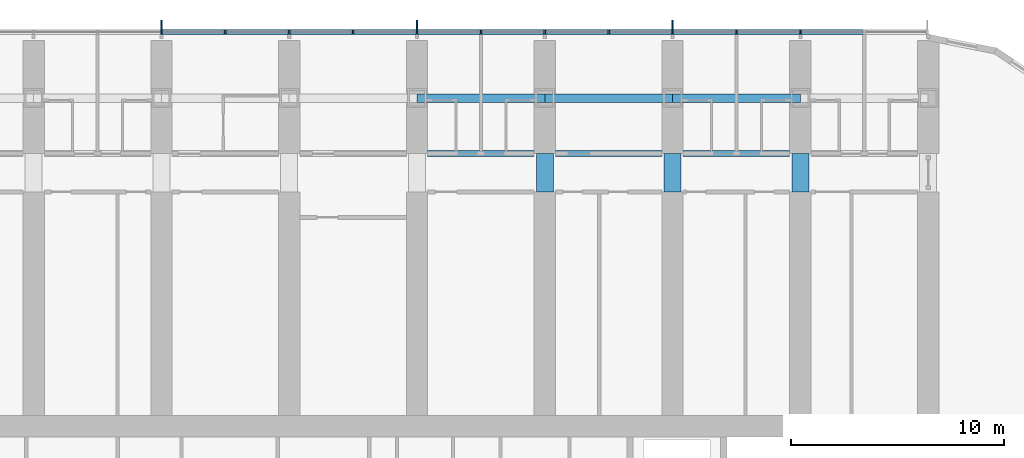
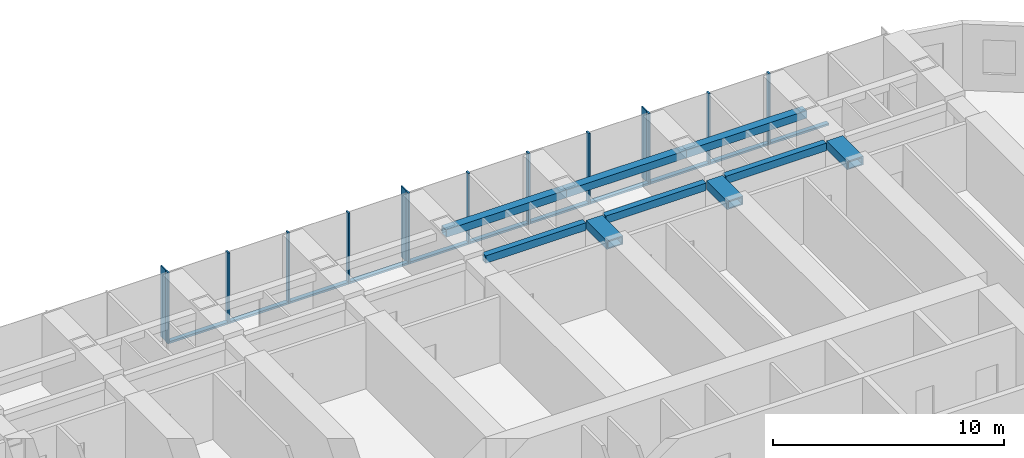
# One storey, part 5 of 24: 25 members, 9 beams, 1 element without a shape of its own.
"""IFC4 building model written with IfcOpenShell, lengths in metres."""

from ifc_helpers import new_model, si_unit, direction, frame, origin, origin_2d, place, context, subcontext, project, spatial, rectangle, hollow_rectangle, extrude, material, material_profile, profile_set, type_object, element, aggregate, save


model = new_model("IFC4")

# Units and contexts
model_context = context("Model", 3, precision=1e-05, world=origin(), true_north=direction((0.0, 1.0)))
body_context = subcontext(model_context, "Body", "Model", "MODEL_VIEW")
ifc_project = project(units=[si_unit("LENGTHUNIT", "METRE"), si_unit("AREAUNIT", "SQUARE_METRE"), si_unit("VOLUMEUNIT", "CUBIC_METRE"), si_unit("PLANEANGLEUNIT", "RADIAN"), si_unit("MASSUNIT", "GRAM", prefix="KILO")], contexts=[model_context])

# Site, building, storey
site_placement = place(None, origin())
site = spatial("IfcSite", under=ifc_project, at=site_placement, CompositionType="ELEMENT")
building_placement = place(site_placement, origin())
building = spatial("IfcBuilding", under=site, at=building_placement, Name="Orbita Commons", CompositionType="ELEMENT")
storey_placement = place(building_placement, frame((0.0, 0.0, 27.699951171875)))
storey = spatial("IfcBuildingStorey", under=building, at=storey_placement, Name="L06", CompositionType="ELEMENT", Elevation=27.699951171875)

# Curtain wall, members
ifc_material_1 = material(Name="Anodised aluminium frame, pale silver", Category="aluminium")
curtain_wall_type = type_object("IfcCurtainWallType", Name="Unitised curtain wall CW-T, vision and spandrel", PredefinedType="NOTDEFINED", material=ifc_material_1)
curtain_wall_placement = place(storey_placement, origin())
curtain_wall = element("IfcCurtainWall", 1, at=curtain_wall_placement, inside=storey, type_object=curtain_wall_type, Name="Curtain wall north L06", PredefinedType="NOTDEFINED")
ifc_material_2 = material(Name="Anodised aluminium, pale silver", Category="aluminium")
ifc_material_profile_1 = material_profile(ifc_material_2, rectangle(XDim=0.080078125, YDim=0.219970703125, at=origin_2d()), Name="AL 80x220")
ifc_profile_set_1 = profile_set([ifc_material_profile_1], Name="Anodised aluminium, pale silver")
member_type_1 = type_object("IfcMemberType", Name="Curtain wall mullion 80x220", PredefinedType="MULLION", material=ifc_profile_set_1)
member_1_placement = place(storey_placement, frame((66.0, 56.7099609375, -0.25), z_axis=(0.0, 0.0, 1.0), x_axis=(-1.0, 0.0, 0.0)))
member_1 = element("IfcMember", 2, at=member_1_placement, type_object=member_type_1, Name="Mullion 3 CW-L06-N", PredefinedType="MULLION", context=body_context, shape_type="SweptSolid", body=[
    extrude(rectangle(XDim=0.080078125, YDim=0.219970703125, at=origin_2d()), origin(), (0.0, 0.0, 1.0), 3.75),
])
member_2_placement = place(storey_placement, frame((63.0, 56.7099609375, -0.25), z_axis=(0.0, 0.0, 1.0), x_axis=(-1.0, 0.0, 0.0)))
member_2 = element("IfcMember", 3, at=member_2_placement, type_object=member_type_1, Name="Mullion 4 CW-L06-N", PredefinedType="MULLION", context=body_context, shape_type="SweptSolid", body=[
    extrude(rectangle(XDim=0.080078125, YDim=0.219970703125, at=origin_2d()), origin(), (0.0, 0.0, 1.0), 3.75),
])
member_3_placement = place(storey_placement, frame((60.0, 56.7099609375, -0.25), z_axis=(0.0, 0.0, 1.0), x_axis=(-1.0, 0.0, 0.0)))
member_3 = element("IfcMember", 4, at=member_3_placement, type_object=member_type_1, Name="Mullion 5 CW-L06-N", PredefinedType="MULLION", context=body_context, shape_type="SweptSolid", body=[
    extrude(rectangle(XDim=0.080078125, YDim=0.219970703125, at=origin_2d()), origin(), (0.0, 0.0, 1.0), 3.75),
])
member_4_placement = place(storey_placement, frame((57.0, 56.7099609375, -0.25), z_axis=(0.0, 0.0, 1.0), x_axis=(-1.0, 0.0, 0.0)))
member_4 = element("IfcMember", 5, at=member_4_placement, type_object=member_type_1, Name="Mullion 6 CW-L06-N", PredefinedType="MULLION", context=body_context, shape_type="SweptSolid", body=[
    extrude(rectangle(XDim=0.080078125, YDim=0.219970703125, at=origin_2d()), origin(), (0.0, 0.0, 1.0), 3.75),
])
member_5_placement = place(storey_placement, frame((54.0, 56.7099609375, -0.25), z_axis=(0.0, 0.0, 1.0), x_axis=(-1.0, 0.0, 0.0)))
member_5 = element("IfcMember", 6, at=member_5_placement, type_object=member_type_1, Name="Mullion 7 CW-L06-N", PredefinedType="MULLION", context=body_context, shape_type="SweptSolid", body=[
    extrude(rectangle(XDim=0.080078125, YDim=0.219970703125, at=origin_2d()), origin(), (0.0, 0.0, 1.0), 3.75),
])
member_6_placement = place(storey_placement, frame((51.0, 56.7099609375, -0.25), z_axis=(0.0, 0.0, 1.0), x_axis=(-1.0, 0.0, 0.0)))
member_6 = element("IfcMember", 7, at=member_6_placement, type_object=member_type_1, Name="Mullion 8 CW-L06-N", PredefinedType="MULLION", context=body_context, shape_type="SweptSolid", body=[
    extrude(rectangle(XDim=0.080078125, YDim=0.219970703125, at=origin_2d()), origin(), (0.0, 0.0, 1.0), 3.75),
])
member_7_placement = place(storey_placement, frame((48.0, 56.7099609375, -0.25), z_axis=(0.0, 0.0, 1.0), x_axis=(-1.0, 0.0, 0.0)))
member_7 = element("IfcMember", 8, at=member_7_placement, type_object=member_type_1, Name="Mullion 9 CW-L06-N", PredefinedType="MULLION", context=body_context, shape_type="SweptSolid", body=[
    extrude(rectangle(XDim=0.080078125, YDim=0.219970703125, at=origin_2d()), origin(), (0.0, 0.0, 1.0), 3.75),
])
member_8_placement = place(storey_placement, frame((45.0, 56.7099609375, -0.25), z_axis=(0.0, 0.0, 1.0), x_axis=(-1.0, 0.0, 0.0)))
member_8 = element("IfcMember", 9, at=member_8_placement, type_object=member_type_1, Name="Mullion 10 CW-L06-N", PredefinedType="MULLION", context=body_context, shape_type="SweptSolid", body=[
    extrude(rectangle(XDim=0.080078125, YDim=0.219970703125, at=origin_2d()), origin(), (0.0, 0.0, 1.0), 3.75),
])
member_9_placement = place(storey_placement, frame((42.0, 56.7099609375, -0.25), z_axis=(0.0, 0.0, 1.0), x_axis=(-1.0, 0.0, 0.0)))
member_9 = element("IfcMember", 10, at=member_9_placement, type_object=member_type_1, Name="Mullion 11 CW-L06-N", PredefinedType="MULLION", context=body_context, shape_type="SweptSolid", body=[
    extrude(rectangle(XDim=0.080078125, YDim=0.219970703125, at=origin_2d()), origin(), (0.0, 0.0, 1.0), 3.75),
])
member_10_placement = place(storey_placement, frame((39.0, 56.7099609375, -0.25), z_axis=(0.0, 0.0, 1.0), x_axis=(-1.0, 0.0, 0.0)))
member_10 = element("IfcMember", 11, at=member_10_placement, type_object=member_type_1, Name="Mullion 12 CW-L06-N", PredefinedType="MULLION", context=body_context, shape_type="SweptSolid", body=[
    extrude(rectangle(XDim=0.080078125, YDim=0.219970703125, at=origin_2d()), origin(), (0.0, 0.0, 1.0), 3.75),
])
member_11_placement = place(storey_placement, frame((36.0, 56.7099609375, -0.25), z_axis=(0.0, 0.0, 1.0), x_axis=(-1.0, 0.0, 0.0)))
member_11 = element("IfcMember", 12, at=member_11_placement, type_object=member_type_1, Name="Mullion 13 CW-L06-N", PredefinedType="MULLION", context=body_context, shape_type="SweptSolid", body=[
    extrude(rectangle(XDim=0.080078125, YDim=0.219970703125, at=origin_2d()), origin(), (0.0, 0.0, 1.0), 3.75),
])
ifc_material_3 = material(Name="Anodised aluminium, pale silver", Category="aluminium")
ifc_material_profile_2 = material_profile(ifc_material_3, rectangle(XDim=0.219970703125, YDim=0.10009765625, at=origin_2d()), Name="AL 220x100")
ifc_profile_set_2 = profile_set([ifc_material_profile_2], Name="Anodised aluminium, pale silver")
member_type_2 = type_object("IfcMemberType", Name="Curtain wall stack transom 220x100", PredefinedType="USERDEFINED", material=ifc_profile_set_2)
member_12_placement = place(storey_placement, frame((68.9599609375, 56.7099609375, -0.199951171875), z_axis=(-1.0, 0.0, 0.0), x_axis=(0.0, -1.0, 0.0)))
member_12 = element("IfcMember", 13, at=member_12_placement, type_object=member_type_2, Name="Transom 2.1 CW-L06-N", ObjectType="TRANSOM", PredefinedType="USERDEFINED", context=body_context, shape_type="SweptSolid", body=[
    extrude(rectangle(XDim=0.219970703125, YDim=0.10009765625, at=origin_2d()), origin(), (0.0, 0.0, 1.0), 2.919921875),
])
member_13_placement = place(storey_placement, frame((65.9599609375, 56.7099609375, -0.199951171875), z_axis=(-1.0, 0.0, 0.0), x_axis=(0.0, -1.0, 0.0)))
member_13 = element("IfcMember", 14, at=member_13_placement, type_object=member_type_2, Name="Transom 3.1 CW-L06-N", ObjectType="TRANSOM", PredefinedType="USERDEFINED", context=body_context, shape_type="SweptSolid", body=[
    extrude(rectangle(XDim=0.219970703125, YDim=0.10009765625, at=origin_2d()), origin(), (0.0, 0.0, 1.0), 2.919921875),
])
member_14_placement = place(storey_placement, frame((62.9599609375, 56.7099609375, -0.199951171875), z_axis=(-1.0, 0.0, 0.0), x_axis=(0.0, -1.0, 0.0)))
member_14 = element("IfcMember", 15, at=member_14_placement, type_object=member_type_2, Name="Transom 4.1 CW-L06-N", ObjectType="TRANSOM", PredefinedType="USERDEFINED", context=body_context, shape_type="SweptSolid", body=[
    extrude(rectangle(XDim=0.219970703125, YDim=0.10009765625, at=origin_2d()), origin(), (0.0, 0.0, 1.0), 2.919921875),
])
member_15_placement = place(storey_placement, frame((59.9599609375, 56.7099609375, -0.199951171875), z_axis=(-1.0, 0.0, 0.0), x_axis=(0.0, -1.0, 0.0)))
member_15 = element("IfcMember", 16, at=member_15_placement, type_object=member_type_2, Name="Transom 5.1 CW-L06-N", ObjectType="TRANSOM", PredefinedType="USERDEFINED", context=body_context, shape_type="SweptSolid", body=[
    extrude(rectangle(XDim=0.219970703125, YDim=0.10009765625, at=origin_2d()), origin(), (0.0, 0.0, 1.0), 2.919921875),
])
member_16_placement = place(storey_placement, frame((56.9599609375, 56.7099609375, -0.199951171875), z_axis=(-1.0, 0.0, 0.0), x_axis=(0.0, -1.0, 0.0)))
member_16 = element("IfcMember", 17, at=member_16_placement, type_object=member_type_2, Name="Transom 6.1 CW-L06-N", ObjectType="TRANSOM", PredefinedType="USERDEFINED", context=body_context, shape_type="SweptSolid", body=[
    extrude(rectangle(XDim=0.219970703125, YDim=0.10009765625, at=origin_2d()), origin(), (0.0, 0.0, 1.0), 2.919921875),
])
member_17_placement = place(storey_placement, frame((53.9599609375, 56.7099609375, -0.199951171875), z_axis=(-1.0, 0.0, 0.0), x_axis=(0.0, -1.0, 0.0)))
member_17 = element("IfcMember", 18, at=member_17_placement, type_object=member_type_2, Name="Transom 7.1 CW-L06-N", ObjectType="TRANSOM", PredefinedType="USERDEFINED", context=body_context, shape_type="SweptSolid", body=[
    extrude(rectangle(XDim=0.219970703125, YDim=0.10009765625, at=origin_2d()), origin(), (0.0, 0.0, 1.0), 2.919921875),
])
member_18_placement = place(storey_placement, frame((50.9599609375, 56.7099609375, -0.199951171875), z_axis=(-1.0, 0.0, 0.0), x_axis=(0.0, -1.0, 0.0)))
member_18 = element("IfcMember", 19, at=member_18_placement, type_object=member_type_2, Name="Transom 8.1 CW-L06-N", ObjectType="TRANSOM", PredefinedType="USERDEFINED", context=body_context, shape_type="SweptSolid", body=[
    extrude(rectangle(XDim=0.219970703125, YDim=0.10009765625, at=origin_2d()), origin(), (0.0, 0.0, 1.0), 2.919921875),
])
member_19_placement = place(storey_placement, frame((47.9599609375, 56.7099609375, -0.199951171875), z_axis=(-1.0, 0.0, 0.0), x_axis=(0.0, -1.0, 0.0)))
member_19 = element("IfcMember", 20, at=member_19_placement, type_object=member_type_2, Name="Transom 9.1 CW-L06-N", ObjectType="TRANSOM", PredefinedType="USERDEFINED", context=body_context, shape_type="SweptSolid", body=[
    extrude(rectangle(XDim=0.219970703125, YDim=0.10009765625, at=origin_2d()), origin(), (0.0, 0.0, 1.0), 2.919921875),
])
member_20_placement = place(storey_placement, frame((44.9599609375, 56.7099609375, -0.199951171875), z_axis=(-1.0, 0.0, 0.0), x_axis=(0.0, -1.0, 0.0)))
member_20 = element("IfcMember", 21, at=member_20_placement, type_object=member_type_2, Name="Transom 10.1 CW-L06-N", ObjectType="TRANSOM", PredefinedType="USERDEFINED", context=body_context, shape_type="SweptSolid", body=[
    extrude(rectangle(XDim=0.219970703125, YDim=0.10009765625, at=origin_2d()), origin(), (0.0, 0.0, 1.0), 2.919921875),
])
member_21_placement = place(storey_placement, frame((41.9599609375, 56.7099609375, -0.199951171875), z_axis=(-1.0, 0.0, 0.0), x_axis=(0.0, -1.0, 0.0)))
member_21 = element("IfcMember", 22, at=member_21_placement, type_object=member_type_2, Name="Transom 11.1 CW-L06-N", ObjectType="TRANSOM", PredefinedType="USERDEFINED", context=body_context, shape_type="SweptSolid", body=[
    extrude(rectangle(XDim=0.219970703125, YDim=0.10009765625, at=origin_2d()), origin(), (0.0, 0.0, 1.0), 2.919921875),
])
member_22_placement = place(storey_placement, frame((38.9599609375, 56.7099609375, -0.199951171875), z_axis=(-1.0, 0.0, 0.0), x_axis=(0.0, -1.0, 0.0)))
member_22 = element("IfcMember", 23, at=member_22_placement, type_object=member_type_2, Name="Transom 12.1 CW-L06-N", ObjectType="TRANSOM", PredefinedType="USERDEFINED", context=body_context, shape_type="SweptSolid", body=[
    extrude(rectangle(XDim=0.219970703125, YDim=0.10009765625, at=origin_2d()), origin(), (0.0, 0.0, 1.0), 2.919921875),
])

# Beams
ifc_material_4 = material(Name="Steel ASTM A572 Gr 50 welded plate", Category="steel")
ifc_material_profile_3 = material_profile(ifc_material_4, hollow_rectangle(XDim=0.300048828125, YDim=0.39990234375, WallThickness=0.0400390625, at=origin_2d()), Name="BOX 400x300x40")
ifc_profile_set_3 = profile_set([ifc_material_profile_3], Name="Steel ASTM A572 Gr 50 welded plate")
beam_type_1 = type_object("IfcBeamType", Name="Steel corridor link BOX 400x300x40", PredefinedType="BEAM", material=ifc_profile_set_3)
for number, where, z_axis, x_axis, name in (
    (24, (48.5, 51.0, 3.300048828125), (1.0, 0.0, 0.0), (0.0, 1.0, 0.0), "Corridor beam NB 9-10 L06"),
    (25, (54.5, 51.0, 3.300048828125), (1.0, 0.0, 0.0), (0.0, 1.0, 0.0), "Corridor beam NB 10-11 L06"),
    (26, (60.5, 51.0, 3.300048828125), (1.0, 0.0, 0.0), (0.0, 1.0, 0.0), "Corridor beam NB 11-12 L06"),
):
    element("IfcBeam", number, at=place(storey_placement, frame(where, z_axis=z_axis, x_axis=x_axis)), inside=storey, type_object=beam_type_1, Name=name, PredefinedType="BEAM", context=body_context, shape_type="SweptSolid", body=[
        extrude(hollow_rectangle(XDim=0.300048828125, YDim=0.39990234375, WallThickness=0.0400390625, at=origin_2d()), origin(), (0.0, 0.0, 1.0), 5.0),
    ])
ifc_material_5 = material(Name="Steel ASTM A572 Gr 50 welded plate", Category="steel")
ifc_material_profile_4 = material_profile(ifc_material_5, hollow_rectangle(XDim=0.800048828125, YDim=0.449951171875, WallThickness=0.06005859375, at=origin_2d()), Name="BOX 450x800x60")
ifc_profile_set_4 = profile_set([ifc_material_profile_4], Name="Steel ASTM A572 Gr 50 welded plate")
beam_type_2 = type_object("IfcBeamType", Name="Steel coupling link BOX 450x800x60", PredefinedType="LINTEL", material=ifc_profile_set_4)
for number, where, z_axis, x_axis, name in (
    (27, (54.0, 49.199951171875, 3.275146484375), (0.0, 1.0, 0.0), (-1.0, 0.0, 0.0), "Coupling beam 10 north L06"),
    (28, (60.0, 49.199951171875, 3.275146484375), (0.0, 1.0, 0.0), (-1.0, 0.0, 0.0), "Coupling beam 11 north L06"),
    (29, (66.0, 49.199951171875, 3.275146484375), (0.0, 1.0, 0.0), (-1.0, 0.0, 0.0), "Coupling beam 12 north L06"),
):
    element("IfcBeam", number, at=place(storey_placement, frame(where, z_axis=z_axis, x_axis=x_axis)), inside=storey, type_object=beam_type_2, Name=name, PredefinedType="LINTEL", context=body_context, shape_type="SweptSolid", body=[
        extrude(hollow_rectangle(XDim=0.800048828125, YDim=0.449951171875, WallThickness=0.06005859375, at=origin_2d()), origin(), (0.0, 0.0, 1.0), 1.800048828125),
    ])
ifc_material_6 = material(Name="Steel ASTM A572 Gr 50 welded plate", Category="steel")
ifc_material_profile_5 = material_profile(ifc_material_6, hollow_rectangle(XDim=0.39990234375, YDim=0.39990234375, WallThickness=0.0400390625, at=origin_2d()), Name="BOX 400x400x40")
ifc_profile_set_5 = profile_set([ifc_material_profile_5], Name="Steel ASTM A572 Gr 50 welded plate")
beam_type_3 = type_object("IfcBeamType", Name="Steel spandrel BOX 400x400x40", PredefinedType="SPANDREL", material=ifc_profile_set_5)
for number, where, z_axis, x_axis, name in (
    (30, (48.0, 53.60009765625, 3.300048828125), (1.0, 0.0, 0.0), (0.0, 1.0, 0.0), "Spandrel beam E 9-10 L06"),
    (31, (54.0, 53.60009765625, 3.300048828125), (1.0, 0.0, 0.0), (0.0, 1.0, 0.0), "Spandrel beam E 10-11 L06"),
    (32, (60.0, 53.60009765625, 3.300048828125), (1.0, 0.0, 0.0), (0.0, 1.0, 0.0), "Spandrel beam E 11-12 L06"),
):
    element("IfcBeam", number, at=place(storey_placement, frame(where, z_axis=z_axis, x_axis=x_axis)), inside=storey, type_object=beam_type_3, Name=name, PredefinedType="SPANDREL", context=body_context, shape_type="SweptSolid", body=[
        extrude(hollow_rectangle(XDim=0.39990234375, YDim=0.39990234375, WallThickness=0.0400390625, at=origin_2d()), origin(), (0.0, 0.0, 1.0), 6.0),
    ])

# Member
ifc_material_7 = material(Name="Anodised aluminium, pale silver", Category="aluminium")
ifc_material_profile_6 = material_profile(ifc_material_7, rectangle(XDim=0.06005859375, YDim=0.449951171875, at=origin_2d()), Name="FIN 60x450")
ifc_profile_set_6 = profile_set([ifc_material_profile_6], Name="Anodised aluminium, pale silver")
member_type_3 = type_object("IfcMemberType", Name="Vertical fin 60x450 pale aluminium", PredefinedType="USERDEFINED", material=ifc_profile_set_6)
member_23_placement = place(storey_placement, frame((60.0, 57.044921875, -0.25), z_axis=(0.0, 0.0, 1.0), x_axis=(-1.0, 0.0, 0.0)))
member_23 = element("IfcMember", 33, at=member_23_placement, type_object=member_type_3, Name="Fin 5 CW-L06-N", ObjectType="FIN", PredefinedType="USERDEFINED", context=body_context, shape_type="SweptSolid", body=[
    extrude(rectangle(XDim=0.06005859375, YDim=0.449951171875, at=origin_2d()), origin(), (0.0, 0.0, 1.0), 3.75),
])

member_24_placement = place(storey_placement, frame((48.0, 57.044921875, -0.25), z_axis=(0.0, 0.0, 1.0), x_axis=(-1.0, 0.0, 0.0)))
member_24 = element("IfcMember", 34, at=member_24_placement, type_object=member_type_3, Name="Fin 9 CW-L06-N", ObjectType="FIN", PredefinedType="USERDEFINED", context=body_context, shape_type="SweptSolid", body=[
    extrude(rectangle(XDim=0.06005859375, YDim=0.449951171875, at=origin_2d()), origin(), (0.0, 0.0, 1.0), 3.75),
])

member_25_placement = place(storey_placement, frame((36.0, 57.044921875, -0.25), z_axis=(0.0, 0.0, 1.0), x_axis=(-1.0, 0.0, 0.0)))
member_25 = element("IfcMember", 35, at=member_25_placement, type_object=member_type_3, Name="Fin 13 CW-L06-N", ObjectType="FIN", PredefinedType="USERDEFINED", context=body_context, shape_type="SweptSolid", body=[
    extrude(rectangle(XDim=0.06005859375, YDim=0.449951171875, at=origin_2d()), origin(), (0.0, 0.0, 1.0), 3.75),
])

aggregate(curtain_wall, [member_1, member_2, member_3, member_23, member_4, member_5, member_6, member_7, member_24, member_8, member_9, member_10, member_11, member_25, member_12, member_13, member_14, member_15, member_16, member_17, member_18, member_19, member_20, member_21, member_22])

save(model, "model.ifc")
